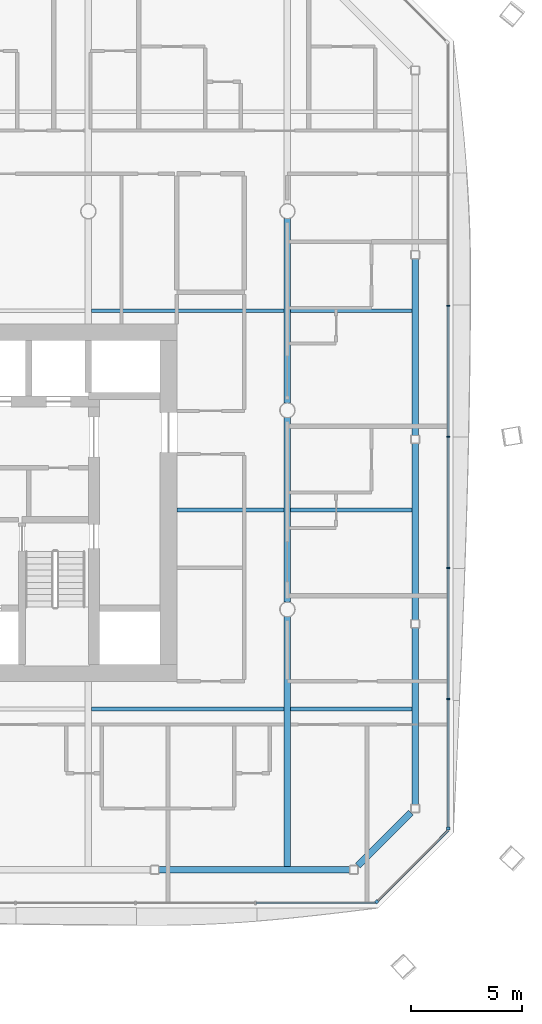
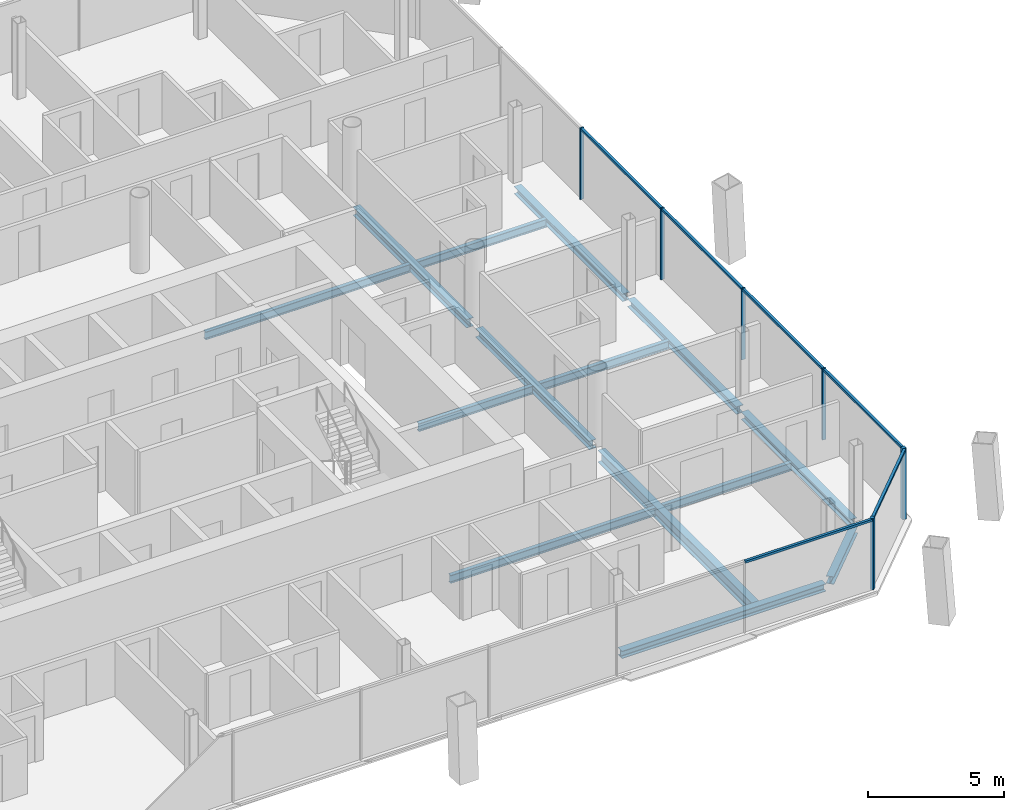
# One storey, part 7 of 18: 14 beams, 12 members, 3 elements without a shape of their own.
"""IFC4 building model written with IfcOpenShell, lengths in metres."""

from ifc_helpers import new_model, si_unit, direction, frame, origin, origin_2d, place, context, subcontext, project, spatial, rectangle, i_section, extrude, material, material_profile, profile_set, type_object, element, aggregate, save


model = new_model("IFC4")

# Units and contexts
model_context = context("Model", 3, precision=1e-05, world=origin(), true_north=direction((0.0, 1.0)))
body_context = subcontext(model_context, "Body", "Model", "MODEL_VIEW")
ifc_project = project(units=[si_unit("LENGTHUNIT", "METRE"), si_unit("AREAUNIT", "SQUARE_METRE"), si_unit("VOLUMEUNIT", "CUBIC_METRE"), si_unit("PLANEANGLEUNIT", "RADIAN"), si_unit("MASSUNIT", "GRAM", prefix="KILO")], contexts=[model_context])

# Site, building, storey
site_placement = place(None, origin())
site = spatial("IfcSite", under=ifc_project, at=site_placement, CompositionType="ELEMENT")
building_placement = place(site_placement, origin())
building = spatial("IfcBuilding", under=site, at=building_placement, Name="Tskaro Facet Tower", CompositionType="ELEMENT")
storey_placement = place(building_placement, frame((0.0, 0.0, 145.300048828125)))
storey = spatial("IfcBuildingStorey", under=building, at=storey_placement, Name="L35", CompositionType="ELEMENT", Elevation=145.300048828125)

# Curtain wall, member
ifc_material_1 = material(Name="Bronze anodised aluminium 6063-T6", Category="aluminium")
curtain_wall_type = type_object("IfcCurtainWallType", Name="Bronze hotel curtain wall (FW2)", PredefinedType="NOTDEFINED", material=ifc_material_1)
curtain_wall_1_placement = place(storey_placement, origin())
curtain_wall_1 = element("IfcCurtainWall", 1, at=curtain_wall_1_placement, inside=storey, type_object=curtain_wall_type, Name="FW2 south-east facet L35", PredefinedType="NOTDEFINED")
ifc_material_profile_1 = material_profile(ifc_material_1, rectangle(XDim=0.14990234375, YDim=0.14990234375, at=origin_2d()), Name="Corner post 150x150")
ifc_profile_set_1 = profile_set([ifc_material_profile_1], Name="Bronze anodised aluminium 6063-T6")
member_type_1 = type_object("IfcMemberType", Name="FW2 bronze corner post 150x150", PredefinedType="MULLION", material=ifc_profile_set_1)
member_1_placement = place(storey_placement, frame((22.0361328125, -22.218994140625, 0.0), z_axis=(0.0, 0.0, 1.0), x_axis=(0.707106781187, 0.707106781187, 0.0)))
member_1 = element("IfcMember", 2, at=member_1_placement, type_object=member_type_1, Name="FW2 south-east corner post", PredefinedType="MULLION", context=body_context, shape_type="SweptSolid", body=[
    extrude(rectangle(XDim=0.14990234375, YDim=0.14990234375, at=origin_2d()), origin(), (0.0, 0.0, 1.0), 3.199951171875),
])

# Curtain wall, members
curtain_wall_2_placement = place(storey_placement, origin())
curtain_wall_2 = element("IfcCurtainWall", 3, at=curtain_wall_2_placement, inside=storey, type_object=curtain_wall_type, Name="FW2 east facet L35", PredefinedType="NOTDEFINED")
member_2_placement = place(storey_placement, frame((25.27197265625, -18.907958984375, 0.0), z_axis=(0.0, 0.0, 1.0), x_axis=(0.0, 1.0, 0.0)))
member_2 = element("IfcMember", 4, at=member_2_placement, type_object=member_type_1, Name="FW2 east corner post", PredefinedType="MULLION", context=body_context, shape_type="SweptSolid", body=[
    extrude(rectangle(XDim=0.14990234375, YDim=0.14990234375, at=origin_2d()), origin(), (0.0, 0.0, 1.0), 3.199951171875),
])
ifc_material_profile_2 = material_profile(ifc_material_1, rectangle(XDim=0.06005859375, YDim=0.14990234375, at=origin_2d()), Name="Mullion 60x150")
ifc_profile_set_2 = profile_set([ifc_material_profile_2], Name="Bronze anodised aluminium 6063-T6")
member_type_2 = type_object("IfcMemberType", Name="FW2 bronze mullion 60x150", PredefinedType="MULLION", material=ifc_profile_set_2)
member_3_placement = place(storey_placement, frame((25.27197265625, -13.053955078125, 0.0), z_axis=(0.0, 0.0, 1.0), x_axis=(0.0, 1.0, 0.0)))
member_3 = element("IfcMember", 5, at=member_3_placement, type_object=member_type_2, Name="FW2 east mullion 1", PredefinedType="MULLION", context=body_context, shape_type="SweptSolid", body=[
    extrude(rectangle(XDim=0.06005859375, YDim=0.14990234375, at=origin_2d()), origin(), (0.0, 0.0, 1.0), 3.199951171875),
])
member_4_placement = place(storey_placement, frame((25.27197265625, -7.124755859375, 0.0), z_axis=(0.0, 0.0, 1.0), x_axis=(0.0, 1.0, 0.0)))
member_4 = element("IfcMember", 6, at=member_4_placement, type_object=member_type_2, Name="FW2 east mullion 2", PredefinedType="MULLION", context=body_context, shape_type="SweptSolid", body=[
    extrude(rectangle(XDim=0.06005859375, YDim=0.14990234375, at=origin_2d()), origin(), (0.0, 0.0, 1.0), 3.199951171875),
])
member_5_placement = place(storey_placement, frame((25.27197265625, -1.195556640625, 0.0), z_axis=(0.0, 0.0, 1.0), x_axis=(0.0, 1.0, 0.0)))
member_5 = element("IfcMember", 7, at=member_5_placement, type_object=member_type_2, Name="FW2 east mullion 3", PredefinedType="MULLION", context=body_context, shape_type="SweptSolid", body=[
    extrude(rectangle(XDim=0.06005859375, YDim=0.14990234375, at=origin_2d()), origin(), (0.0, 0.0, 1.0), 3.199951171875),
])
member_6_placement = place(storey_placement, frame((25.27197265625, 4.733642578125, 0.0), z_axis=(0.0, 0.0, 1.0), x_axis=(0.0, 1.0, 0.0)))
member_6 = element("IfcMember", 8, at=member_6_placement, type_object=member_type_2, Name="FW2 east mullion 4", PredefinedType="MULLION", context=body_context, shape_type="SweptSolid", body=[
    extrude(rectangle(XDim=0.06005859375, YDim=0.14990234375, at=origin_2d()), origin(), (0.0, 0.0, 1.0), 3.199951171875),
])

# Curtain wall, member
curtain_wall_3_placement = place(storey_placement, origin())
curtain_wall_3 = element("IfcCurtainWall", 9, at=curtain_wall_3_placement, inside=storey, type_object=curtain_wall_type, Name="FW2 south facet L35", PredefinedType="NOTDEFINED")
ifc_material_profile_3 = material_profile(ifc_material_1, rectangle(XDim=0.110107421875, YDim=0.10009765625, at=origin_2d()), Name="Transom 110x100")
ifc_profile_set_3 = profile_set([ifc_material_profile_3], Name="Bronze anodised aluminium 6063-T6")
member_type_3 = type_object("IfcMemberType", Name="FW2 bronze transom 110x100", PredefinedType="USERDEFINED", material=ifc_profile_set_3)
member_7_placement = place(storey_placement, frame((16.58935546875, -22.27197265625, 3.14990234375), z_axis=(1.0, 0.0, 0.0), x_axis=(0.0, 1.0, 0.0)))
member_7 = element("IfcMember", 10, at=member_7_placement, type_object=member_type_3, Name="FW2 south transom 7.1", ObjectType="TRANSOM", PredefinedType="USERDEFINED", context=body_context, shape_type="SweptSolid", body=[
    extrude(rectangle(XDim=0.110107421875, YDim=0.10009765625, at=origin_2d()), origin(), (0.0, 0.0, 1.0), 5.3935546875),
])
aggregate(curtain_wall_3, [member_7])

# Member
member_8_placement = place(storey_placement, frame((22.089111328125, -22.166015625, 3.14990234375), z_axis=(0.707079662477, 0.707133898856, 0.0), x_axis=(-0.707133898856, 0.707079662477, 0.0)))
member_8 = element("IfcMember", 11, at=member_8_placement, type_object=member_type_3, Name="FW2 south-east transom 1.1", ObjectType="TRANSOM", PredefinedType="USERDEFINED", context=body_context, shape_type="SweptSolid", body=[
    extrude(rectangle(XDim=0.110107421875, YDim=0.10009765625, at=origin_2d()), origin(), (0.0, 0.0, 1.0), 4.50146484375),
])

aggregate(curtain_wall_1, [member_1, member_8])

member_9_placement = place(storey_placement, frame((25.27197265625, -18.8330078125, 3.14990234375), z_axis=(0.0, 1.0, 0.0), x_axis=(-1.0, 0.0, 0.0)))
member_9 = element("IfcMember", 12, at=member_9_placement, type_object=member_type_3, Name="FW2 east transom 1.1", ObjectType="TRANSOM", PredefinedType="USERDEFINED", context=body_context, shape_type="SweptSolid", body=[
    extrude(rectangle(XDim=0.110107421875, YDim=0.10009765625, at=origin_2d()), origin(), (0.0, 0.0, 1.0), 5.749267578125),
])

member_10_placement = place(storey_placement, frame((25.27197265625, -13.02392578125, 3.14990234375), z_axis=(0.0, 1.0, 0.0), x_axis=(-1.0, 0.0, 0.0)))
member_10 = element("IfcMember", 13, at=member_10_placement, type_object=member_type_3, Name="FW2 east transom 2.1", ObjectType="TRANSOM", PredefinedType="USERDEFINED", context=body_context, shape_type="SweptSolid", body=[
    extrude(rectangle(XDim=0.110107421875, YDim=0.10009765625, at=origin_2d()), origin(), (0.0, 0.0, 1.0), 5.869140625),
])

member_11_placement = place(storey_placement, frame((25.27197265625, -7.0947265625, 3.14990234375), z_axis=(0.0, 1.0, 0.0), x_axis=(-1.0, 0.0, 0.0)))
member_11 = element("IfcMember", 14, at=member_11_placement, type_object=member_type_3, Name="FW2 east transom 3.1", ObjectType="TRANSOM", PredefinedType="USERDEFINED", context=body_context, shape_type="SweptSolid", body=[
    extrude(rectangle(XDim=0.110107421875, YDim=0.10009765625, at=origin_2d()), origin(), (0.0, 0.0, 1.0), 5.869140625),
])

member_12_placement = place(storey_placement, frame((25.27197265625, -1.16552734375, 3.14990234375), z_axis=(0.0, 1.0, 0.0), x_axis=(-1.0, 0.0, 0.0)))
member_12 = element("IfcMember", 15, at=member_12_placement, type_object=member_type_3, Name="FW2 east transom 4.1", ObjectType="TRANSOM", PredefinedType="USERDEFINED", context=body_context, shape_type="SweptSolid", body=[
    extrude(rectangle(XDim=0.110107421875, YDim=0.10009765625, at=origin_2d()), origin(), (0.0, 0.0, 1.0), 5.869140625),
])

aggregate(curtain_wall_2, [member_2, member_3, member_4, member_5, member_6, member_9, member_10, member_11, member_12])

# Beams
ifc_material_2 = material(Name="Steel S355J2", Category="steel")
ifc_material_profile_4 = material_profile(ifc_material_2, i_section(OverallWidth=0.300048828125, OverallDepth=0.340087890625, WebThickness=0.011962890625, FlangeThickness=0.021484375, FilletRadius=0.027099609375, at=origin_2d()), Name="HE 340 B")
ifc_profile_set_4 = profile_set([ifc_material_profile_4], Name="Steel S355J2")
beam_type_1 = type_object("IfcBeamType", Name="HE 340 B ring beam", PredefinedType="BEAM", material=ifc_profile_set_4)
beam_1_placement = place(storey_placement, frame((12.179931640625, -20.77392578125, -0.31005859375), z_axis=(1.0, 0.0, 0.0), x_axis=(0.0, 1.0, 0.0)))
element("IfcBeam", 16, at=beam_1_placement, inside=storey, type_object=beam_type_1, Name="HE 340 B EB4-3", PredefinedType="BEAM", context=body_context, shape_type="SweptSolid", body=[
    extrude(i_section(OverallWidth=0.300048828125, OverallDepth=0.340087890625, WebThickness=0.011962890625, FlangeThickness=0.021484375, FilletRadius=0.027099609375, at=origin_2d()), origin(), (0.0, 0.0, 1.0), 8.63916015625),
])
beam_2_placement = place(storey_placement, frame((21.184814453125, -20.588134765625, -0.31005859375), z_axis=(0.707106781187, 0.707106781187, 0.0), x_axis=(-0.707106781187, 0.707106781187, 0.0)))
element("IfcBeam", 17, at=beam_2_placement, inside=storey, type_object=beam_type_1, Name="HE 340 B EB5-3", PredefinedType="BEAM", context=body_context, shape_type="SweptSolid", body=[
    extrude(i_section(OverallWidth=0.300048828125, OverallDepth=0.340087890625, WebThickness=0.011962890625, FlangeThickness=0.021484375, FilletRadius=0.027099609375, at=origin_2d()), origin(), (0.0, 0.0, 1.0), 3.39892578125),
])
beam_3_placement = place(storey_placement, frame((23.77392578125, -17.819091796875, -0.31005859375), z_axis=(0.0, 1.0, 0.0), x_axis=(-1.0, 0.0, 0.0)))
element("IfcBeam", 18, at=beam_3_placement, inside=storey, type_object=beam_type_1, Name="HE 340 B EB6-3", PredefinedType="BEAM", context=body_context, shape_type="SweptSolid", body=[
    extrude(i_section(OverallWidth=0.300048828125, OverallDepth=0.340087890625, WebThickness=0.011962890625, FlangeThickness=0.021484375, FilletRadius=0.027099609375, at=origin_2d()), origin(), (0.0, 0.0, 1.0), 7.982177734375),
])
beam_4_placement = place(storey_placement, frame((23.77392578125, -9.47705078125, -0.31005859375), z_axis=(0.0, 1.0, 0.0), x_axis=(-1.0, 0.0, 0.0)))
element("IfcBeam", 19, at=beam_4_placement, inside=storey, type_object=beam_type_1, Name="HE 340 B EB7-3", PredefinedType="BEAM", context=body_context, shape_type="SweptSolid", body=[
    extrude(i_section(OverallWidth=0.300048828125, OverallDepth=0.340087890625, WebThickness=0.011962890625, FlangeThickness=0.021484375, FilletRadius=0.027099609375, at=origin_2d()), origin(), (0.0, 0.0, 1.0), 7.98095703125),
])
beam_5_placement = place(storey_placement, frame((23.77392578125, -1.135986328125, -0.31005859375), z_axis=(0.0, 1.0, 0.0), x_axis=(-1.0, 0.0, 0.0)))
element("IfcBeam", 20, at=beam_5_placement, inside=storey, type_object=beam_type_1, Name="HE 340 B EB8-3", PredefinedType="BEAM", context=body_context, shape_type="SweptSolid", body=[
    extrude(i_section(OverallWidth=0.300048828125, OverallDepth=0.340087890625, WebThickness=0.011962890625, FlangeThickness=0.021484375, FilletRadius=0.027099609375, at=origin_2d()), origin(), (0.0, 0.0, 1.0), 7.98193359375),
])
ifc_material_profile_5 = material_profile(ifc_material_2, i_section(OverallWidth=0.300048828125, OverallDepth=0.389892578125, WebThickness=0.010986328125, FlangeThickness=0.01904296875, FilletRadius=0.027099609375, at=origin_2d()), Name="HE 400 A")
ifc_profile_set_5 = profile_set([ifc_material_profile_5], Name="Steel S355J2")
beam_type_2 = type_object("IfcBeamType", Name="HE 400 A girder", PredefinedType="BEAM", material=ifc_profile_set_5)
for number, where, z_axis, x_axis, name in (
    (21, (18.0, -8.674560546875, -0.3349609375), (0.0, 1.0, 0.0), (-1.0, 0.0, 0.0), "HE 400 A GB6-2-3"),
    (22, (18.0, 0.325439453125, -0.3349609375), (0.0, 1.0, 0.0), (-1.0, 0.0, 0.0), "HE 400 A GB6-3-3"),
):
    element("IfcBeam", number, at=place(storey_placement, frame(where, z_axis=z_axis, x_axis=x_axis)), inside=storey, type_object=beam_type_2, Name=name, PredefinedType="BEAM", context=body_context, shape_type="SweptSolid", body=[
        extrude(i_section(OverallWidth=0.300048828125, OverallDepth=0.389892578125, WebThickness=0.010986328125, FlangeThickness=0.01904296875, FilletRadius=0.027099609375, at=origin_2d()), origin(), (0.0, 0.0, 1.0), 8.34912109375),
    ])
ifc_material_profile_6 = material_profile(ifc_material_2, i_section(OverallWidth=0.300048828125, OverallDepth=0.5400390625, WebThickness=0.012451171875, FlangeThickness=0.02392578125, FilletRadius=0.027099609375, at=origin_2d()), Name="HE 550 A")
ifc_profile_set_6 = profile_set([ifc_material_profile_6], Name="Steel S355J2")
beam_type_3 = type_object("IfcBeamType", Name="HE 550 A long girder", PredefinedType="BEAM", material=ifc_profile_set_6)
beam_6_placement = place(storey_placement, frame((18.0, -20.6240234375, -0.41015625), z_axis=(0.0, 1.0, 0.0), x_axis=(-1.0, 0.0, 0.0)))
element("IfcBeam", 23, at=beam_6_placement, inside=storey, type_object=beam_type_3, Name="HE 550 A LGB6-1-3", PredefinedType="BEAM", context=body_context, shape_type="SweptSolid", body=[
    extrude(i_section(OverallWidth=0.300048828125, OverallDepth=0.5400390625, WebThickness=0.012451171875, FlangeThickness=0.02392578125, FilletRadius=0.027099609375, at=origin_2d()), origin(), (0.0, 0.0, 1.0), 11.298583984375),
])
ifc_material_profile_7 = material_profile(ifc_material_2, i_section(OverallWidth=0.169921875, OverallDepth=0.360107421875, WebThickness=0.008056640625, FlangeThickness=0.0126953125, FilletRadius=0.01806640625, at=origin_2d()), Name="IPE 360")
ifc_profile_set_7 = profile_set([ifc_material_profile_7], Name="Steel S355J2")
beam_type_4 = type_object("IfcBeamType", Name="IPE 360 secondary beam", PredefinedType="BEAM", material=ifc_profile_set_7)
beam_7_placement = place(storey_placement, frame((9.14990234375, -13.5, -0.320068359375), z_axis=(1.0, 0.0, 0.0), x_axis=(0.0, 1.0, 0.0)))
element("IfcBeam", 24, at=beam_7_placement, inside=storey, type_object=beam_type_4, Name="IPE 360 SB2a-4-3", PredefinedType="BEAM", context=body_context, shape_type="SweptSolid", body=[
    extrude(i_section(OverallWidth=0.169921875, OverallDepth=0.360107421875, WebThickness=0.008056640625, FlangeThickness=0.0126953125, FilletRadius=0.01806640625, at=origin_2d()), origin(), (0.0, 0.0, 1.0), 8.7001953125),
])
beam_8_placement = place(storey_placement, frame((18.14990234375, -13.5, -0.320068359375), z_axis=(1.0, 0.0, 0.0), x_axis=(0.0, 1.0, 0.0)))
element("IfcBeam", 25, at=beam_8_placement, inside=storey, type_object=beam_type_4, Name="IPE 360 SB2a-5-3", PredefinedType="BEAM", context=body_context, shape_type="SweptSolid", body=[
    extrude(i_section(OverallWidth=0.169921875, OverallDepth=0.360107421875, WebThickness=0.008056640625, FlangeThickness=0.0126953125, FilletRadius=0.01806640625, at=origin_2d()), origin(), (0.0, 0.0, 1.0), 5.47412109375),
])
beam_9_placement = place(storey_placement, frame((13.0, -4.5, -0.320068359375), z_axis=(1.0, 0.0, 0.0), x_axis=(0.0, 1.0, 0.0)))
element("IfcBeam", 26, at=beam_9_placement, inside=storey, type_object=beam_type_4, Name="IPE 360 SB3a-2-3", PredefinedType="BEAM", context=body_context, shape_type="SweptSolid", body=[
    extrude(i_section(OverallWidth=0.169921875, OverallDepth=0.360107421875, WebThickness=0.008056640625, FlangeThickness=0.0126953125, FilletRadius=0.01806640625, at=origin_2d()), origin(), (0.0, 0.0, 1.0), 4.85009765625),
])
beam_10_placement = place(storey_placement, frame((18.14990234375, -4.5, -0.320068359375), z_axis=(1.0, 0.0, 0.0), x_axis=(0.0, 1.0, 0.0)))
element("IfcBeam", 27, at=beam_10_placement, inside=storey, type_object=beam_type_4, Name="IPE 360 SB3a-3-3", PredefinedType="BEAM", context=body_context, shape_type="SweptSolid", body=[
    extrude(i_section(OverallWidth=0.169921875, OverallDepth=0.360107421875, WebThickness=0.008056640625, FlangeThickness=0.0126953125, FilletRadius=0.01806640625, at=origin_2d()), origin(), (0.0, 0.0, 1.0), 5.47412109375),
])
beam_11_placement = place(storey_placement, frame((9.14990234375, 4.5, -0.320068359375), z_axis=(1.0, 0.0, 0.0), x_axis=(0.0, 1.0, 0.0)))
element("IfcBeam", 28, at=beam_11_placement, inside=storey, type_object=beam_type_4, Name="IPE 360 SB4a-4-3", PredefinedType="BEAM", context=body_context, shape_type="SweptSolid", body=[
    extrude(i_section(OverallWidth=0.169921875, OverallDepth=0.360107421875, WebThickness=0.008056640625, FlangeThickness=0.0126953125, FilletRadius=0.01806640625, at=origin_2d()), origin(), (0.0, 0.0, 1.0), 8.7001953125),
])
beam_12_placement = place(storey_placement, frame((18.14990234375, 4.5, -0.320068359375), z_axis=(1.0, 0.0, 0.0), x_axis=(0.0, 1.0, 0.0)))
element("IfcBeam", 29, at=beam_12_placement, inside=storey, type_object=beam_type_4, Name="IPE 360 SB4a-5-3", PredefinedType="BEAM", context=body_context, shape_type="SweptSolid", body=[
    extrude(i_section(OverallWidth=0.169921875, OverallDepth=0.360107421875, WebThickness=0.008056640625, FlangeThickness=0.0126953125, FilletRadius=0.01806640625, at=origin_2d()), origin(), (0.0, 0.0, 1.0), 5.47412109375),
])

save(model, "model.ifc")
